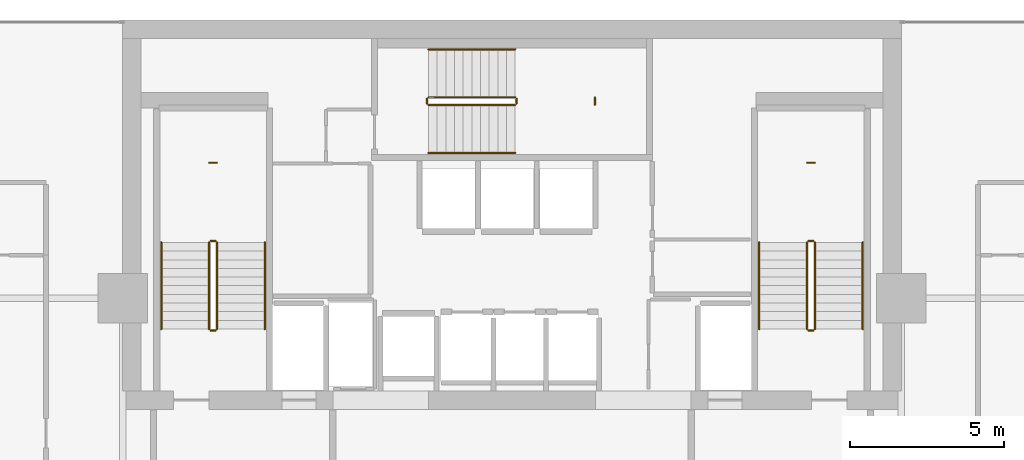
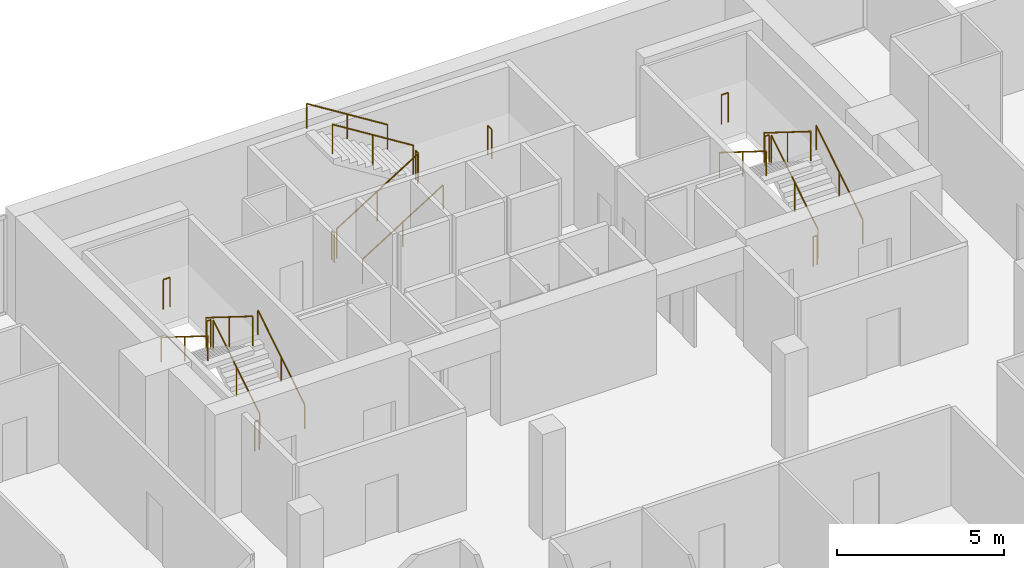
# One storey, part 25 of 25: 21 railings.
"""IFC4 building model written with IfcOpenShell, lengths in metres."""

from ifc_helpers import new_model, si_unit, direction, frame, origin, origin_2d, place, context, subcontext, project, spatial, circle, extrude, material, type_object, element, save


model = new_model("IFC4")

# Units and contexts
model_context = context("Model", 3, precision=1e-05, world=origin(), true_north=direction((0.0, 1.0)))
body_context = subcontext(model_context, "Body", "Model", "MODEL_VIEW")
ifc_project = project(units=[si_unit("LENGTHUNIT", "METRE"), si_unit("AREAUNIT", "SQUARE_METRE"), si_unit("VOLUMEUNIT", "CUBIC_METRE"), si_unit("PLANEANGLEUNIT", "RADIAN"), si_unit("MASSUNIT", "GRAM", prefix="KILO")], contexts=[model_context])

# Site, building, storey
site_placement = place(None, origin())
site = spatial("IfcSite", under=ifc_project, at=site_placement, CompositionType="ELEMENT")
building_placement = place(site_placement, origin())
building = spatial("IfcBuilding", under=site, at=building_placement, Name="Maruvema Waterfront Hotel and Observation Tower", CompositionType="ELEMENT")
storey_placement = place(building_placement, frame((0.0, 0.0, 274.050048828125)))
storey = spatial("IfcBuildingStorey", under=building, at=storey_placement, Name="L67", CompositionType="ELEMENT", Elevation=274.050048828125)

# Railings
ifc_material_1 = material(Name="Brushed stainless steel Grade 316", Category="steel")
railing_type_1 = type_object("IfcRailingType", Name="Ramp Continuous Wall Handrail 920 mm", PredefinedType="HANDRAIL", material=ifc_material_1)
railing_1_placement = place(storey_placement, frame((29.800048828125, 44.0, 0.175048828125)))
element("IfcRailing", 1, at=railing_1_placement, inside=storey, type_object=railing_type_1, Name="L67 ST-01 stair handrail 1", PredefinedType="HANDRAIL", context=body_context, shape_type="SweptSolid", body=[
    extrude(circle(Radius=0.02392578125, at=origin_2d()), frame((0.0, 0.0, 0.89599609375), z_axis=(0.0, 0.848002457836, 0.529992293815), x_axis=(-1.0, 0.0, 0.0)), (0.0, 0.0, 1.0), 3.302001953125),
    extrude(circle(Radius=0.02099609375, at=origin_2d()), origin(), (0.0, 0.0, 1.0), 0.871826171875),
    extrude(circle(Radius=0.02099609375, at=origin_2d()), frame((0.0, 1.39990234375, 0.875)), (0.0, 0.0, 1.0), 0.871826171875),
    extrude(circle(Radius=0.02099609375, at=origin_2d()), frame((0.0, 2.800048828125, 1.75)), (0.0, 0.0, 1.0), 0.871826171875),
])
railing_2_placement = place(storey_placement, frame((26.449951171875, 46.800048828125, 2.099853515625)))
element("IfcRailing", 2, at=railing_2_placement, inside=storey, type_object=railing_type_1, Name="L67 ST-01 stair handrail 2", PredefinedType="HANDRAIL", context=body_context, shape_type="SweptSolid", body=[
    extrude(circle(Radius=0.02392578125, at=origin_2d()), frame((0.0, 0.0, 0.89599609375), z_axis=(0.0, -0.848002457836, 0.529992293815), x_axis=(1.0, 0.0, 0.0)), (0.0, 0.0, 1.0), 3.302001953125),
    extrude(circle(Radius=0.02099609375, at=origin_2d()), origin(), (0.0, 0.0, 1.0), 0.871826171875),
    extrude(circle(Radius=0.02099609375, at=origin_2d()), frame((0.0, -1.39990234375, 0.875)), (0.0, 0.0, 1.0), 0.871826171875),
    extrude(circle(Radius=0.02099609375, at=origin_2d()), frame((0.0, -2.800048828125, 1.75)), (0.0, 0.0, 1.0), 0.871826171875),
])
railing_3_placement = place(storey_placement, frame((35.10009765625, 49.699951171875, 0.175048828125)))
element("IfcRailing", 3, at=railing_3_placement, inside=storey, type_object=railing_type_1, Name="L67 ST-02 stair handrail 1", PredefinedType="HANDRAIL", context=body_context, shape_type="SweptSolid", body=[
    extrude(circle(Radius=0.02392578125, at=origin_2d()), frame((0.0, 0.0, 0.89599609375), z_axis=(0.847981687118, 0.0, 0.530025526095), x_axis=(0.0, 1.0, 0.0)), (0.0, 0.0, 1.0), 3.3017578125),
    extrude(circle(Radius=0.02099609375, at=origin_2d()), origin(), (0.0, 0.0, 1.0), 0.871826171875),
    extrude(circle(Radius=0.02099609375, at=origin_2d()), frame((1.39990234375, 0.0, 0.875)), (0.0, 0.0, 1.0), 0.871826171875),
    extrude(circle(Radius=0.02099609375, at=origin_2d()), frame((2.7998046875, 0.0, 1.75)), (0.0, 0.0, 1.0), 0.871826171875),
])
railing_4_placement = place(storey_placement, frame((37.89990234375, 53.050048828125, 2.099853515625)))
element("IfcRailing", 4, at=railing_4_placement, inside=storey, type_object=railing_type_1, Name="L67 ST-02 stair handrail 2", PredefinedType="HANDRAIL", context=body_context, shape_type="SweptSolid", body=[
    extrude(circle(Radius=0.02392578125, at=origin_2d()), frame((0.0, 0.0, 0.89599609375), z_axis=(-0.847981687118, 0.0, 0.530025526095), x_axis=(0.0, -1.0, 0.0)), (0.0, 0.0, 1.0), 3.3017578125),
    extrude(circle(Radius=0.02099609375, at=origin_2d()), origin(), (0.0, 0.0, 1.0), 0.871826171875),
    extrude(circle(Radius=0.02099609375, at=origin_2d()), frame((-1.39990234375, 0.0, 0.875)), (0.0, 0.0, 1.0), 0.871826171875),
    extrude(circle(Radius=0.02099609375, at=origin_2d()), frame((-2.7998046875, 0.0, 1.75)), (0.0, 0.0, 1.0), 0.871826171875),
])
railing_5_placement = place(storey_placement, frame((49.14990234375, 44.0, 0.175048828125)))
element("IfcRailing", 5, at=railing_5_placement, inside=storey, type_object=railing_type_1, Name="L67 ST-03 stair handrail 1", PredefinedType="HANDRAIL", context=body_context, shape_type="SweptSolid", body=[
    extrude(circle(Radius=0.02392578125, at=origin_2d()), frame((0.0, 0.0, 0.89599609375), z_axis=(0.0, 0.848002457836, 0.529992293815), x_axis=(-1.0, 0.0, 0.0)), (0.0, 0.0, 1.0), 3.302001953125),
    extrude(circle(Radius=0.02099609375, at=origin_2d()), origin(), (0.0, 0.0, 1.0), 0.871826171875),
    extrude(circle(Radius=0.02099609375, at=origin_2d()), frame((0.0, 1.39990234375, 0.875)), (0.0, 0.0, 1.0), 0.871826171875),
    extrude(circle(Radius=0.02099609375, at=origin_2d()), frame((0.0, 2.800048828125, 1.75)), (0.0, 0.0, 1.0), 0.871826171875),
])
railing_6_placement = place(storey_placement, frame((45.800048828125, 46.800048828125, 2.099853515625)))
element("IfcRailing", 6, at=railing_6_placement, inside=storey, type_object=railing_type_1, Name="L67 ST-03 stair handrail 2", PredefinedType="HANDRAIL", context=body_context, shape_type="SweptSolid", body=[
    extrude(circle(Radius=0.02392578125, at=origin_2d()), frame((0.0, 0.0, 0.89599609375), z_axis=(0.0, -0.848002457836, 0.529992293815), x_axis=(1.0, 0.0, 0.0)), (0.0, 0.0, 1.0), 3.302001953125),
    extrude(circle(Radius=0.02099609375, at=origin_2d()), origin(), (0.0, 0.0, 1.0), 0.871826171875),
    extrude(circle(Radius=0.02099609375, at=origin_2d()), frame((0.0, -1.39990234375, 0.875)), (0.0, 0.0, 1.0), 0.871826171875),
    extrude(circle(Radius=0.02099609375, at=origin_2d()), frame((0.0, -2.800048828125, 1.75)), (0.0, 0.0, 1.0), 0.871826171875),
])
ifc_material_2 = material(Name="Brushed stainless steel Grade 316", Category="steel")
railing_type_2 = type_object("IfcRailingType", Name="Ramp and Terrace Guard Balustrade 1100 mm", PredefinedType="BALUSTRADE", material=ifc_material_2)
railing_7_placement = place(storey_placement, frame((28.25, 44.0, 0.175048828125)))
element("IfcRailing", 7, at=railing_7_placement, inside=storey, type_object=railing_type_2, Name="L67 ST-01 stair guard 1", PredefinedType="BALUSTRADE", context=body_context, shape_type="SweptSolid", body=[
    extrude(circle(Radius=0.02392578125, at=origin_2d()), frame((0.0, 0.0, 1.076171875), z_axis=(0.0, 0.848002457836, 0.529992293815), x_axis=(-1.0, 0.0, 0.0)), (0.0, 0.0, 1.0), 3.302001953125),
    extrude(circle(Radius=0.02099609375, at=origin_2d()), origin(), (0.0, 0.0, 1.0), 1.052001953125),
    extrude(circle(Radius=0.02099609375, at=origin_2d()), frame((0.0, 1.39990234375, 0.875)), (0.0, 0.0, 1.0), 1.052001953125),
    extrude(circle(Radius=0.02099609375, at=origin_2d()), frame((0.0, 2.800048828125, 1.75)), (0.0, 0.0, 1.0), 1.052001953125),
])
railing_8_placement = place(storey_placement, frame((28.199951171875, 46.85009765625, 1.925048828125)))
element("IfcRailing", 8, at=railing_8_placement, inside=storey, type_object=railing_type_2, Name="L67 ST-01 stair guard 2", PredefinedType="BALUSTRADE", context=body_context, shape_type="SweptSolid", body=[
    extrude(circle(Radius=0.02392578125, at=origin_2d()), frame((0.0, 0.0, 1.076171875), z_axis=(-1.0, 0.0, 0.0), x_axis=(0.0, -1.0, 0.0)), (0.0, 0.0, 1.0), 0.14990234375),
    extrude(circle(Radius=0.02099609375, at=origin_2d()), origin(), (0.0, 0.0, 1.0), 1.052001953125),
    extrude(circle(Radius=0.02099609375, at=origin_2d()), frame((-0.14990234375, 0.0, 0.0)), (0.0, 0.0, 1.0), 1.052001953125),
])
railing_9_placement = place(storey_placement, frame((28.0, 46.800048828125, 2.099853515625)))
element("IfcRailing", 9, at=railing_9_placement, inside=storey, type_object=railing_type_2, Name="L67 ST-01 stair guard 3", PredefinedType="BALUSTRADE", context=body_context, shape_type="SweptSolid", body=[
    extrude(circle(Radius=0.02392578125, at=origin_2d()), frame((0.0, 0.0, 1.076171875), z_axis=(0.0, -0.848002457836, 0.529992293815), x_axis=(1.0, 0.0, 0.0)), (0.0, 0.0, 1.0), 3.302001953125),
    extrude(circle(Radius=0.02099609375, at=origin_2d()), origin(), (0.0, 0.0, 1.0), 1.052001953125),
    extrude(circle(Radius=0.02099609375, at=origin_2d()), frame((0.0, -1.39990234375, 0.875)), (0.0, 0.0, 1.0), 1.052001953125),
    extrude(circle(Radius=0.02099609375, at=origin_2d()), frame((0.0, -2.800048828125, 1.75)), (0.0, 0.0, 1.0), 1.052001953125),
])
railing_10_placement = place(storey_placement, frame((28.199951171875, 43.949951171875, 0.0)))
element("IfcRailing", 10, at=railing_10_placement, inside=storey, type_object=railing_type_2, Name="L67 ST-01 stair guard 4", PredefinedType="BALUSTRADE", context=body_context, shape_type="SweptSolid", body=[
    extrude(circle(Radius=0.02392578125, at=origin_2d()), frame((0.0, 0.0, 1.076171875), z_axis=(-1.0, 0.0, 0.0), x_axis=(0.0, -1.0, 0.0)), (0.0, 0.0, 1.0), 0.14990234375),
    extrude(circle(Radius=0.02099609375, at=origin_2d()), origin(), (0.0, 0.0, 1.0), 1.052001953125),
    extrude(circle(Radius=0.02099609375, at=origin_2d()), frame((-0.14990234375, 0.0, 0.0)), (0.0, 0.0, 1.0), 1.052001953125),
])
railing_11_placement = place(storey_placement, frame((28.239990234375, 49.3798828125, 1.925048828125)))
element("IfcRailing", 11, at=railing_11_placement, inside=storey, type_object=railing_type_2, Name="L67 ST-01 Half-Landing Slot Guard", PredefinedType="BALUSTRADE", context=body_context, shape_type="SweptSolid", body=[
    extrude(circle(Radius=0.02392578125, at=origin_2d()), frame((0.0, 0.0, 1.076171875), z_axis=(-1.0, 0.0, 0.0), x_axis=(0.0, -1.0, 0.0)), (0.0, 0.0, 1.0), 0.22998046875),
    extrude(circle(Radius=0.02099609375, at=origin_2d()), origin(), (0.0, 0.0, 1.0), 1.052001953125),
    extrude(circle(Radius=0.02099609375, at=origin_2d()), frame((-0.22998046875, 0.0, 0.0)), (0.0, 0.0, 1.0), 1.052001953125),
])
railing_12_placement = place(storey_placement, frame((35.10009765625, 51.25, 0.175048828125)))
element("IfcRailing", 12, at=railing_12_placement, inside=storey, type_object=railing_type_2, Name="L67 ST-02 stair guard 1", PredefinedType="BALUSTRADE", context=body_context, shape_type="SweptSolid", body=[
    extrude(circle(Radius=0.02392578125, at=origin_2d()), frame((0.0, 0.0, 1.076171875), z_axis=(0.847981687118, 0.0, 0.530025526095), x_axis=(0.0, 1.0, 0.0)), (0.0, 0.0, 1.0), 3.3017578125),
    extrude(circle(Radius=0.02099609375, at=origin_2d()), origin(), (0.0, 0.0, 1.0), 1.052001953125),
    extrude(circle(Radius=0.02099609375, at=origin_2d()), frame((1.39990234375, 0.0, 0.875)), (0.0, 0.0, 1.0), 1.052001953125),
    extrude(circle(Radius=0.02099609375, at=origin_2d()), frame((2.7998046875, 0.0, 1.75)), (0.0, 0.0, 1.0), 1.052001953125),
])
railing_13_placement = place(storey_placement, frame((37.949951171875, 51.300048828125, 1.925048828125)))
element("IfcRailing", 13, at=railing_13_placement, inside=storey, type_object=railing_type_2, Name="L67 ST-02 stair guard 2", PredefinedType="BALUSTRADE", context=body_context, shape_type="SweptSolid", body=[
    extrude(circle(Radius=0.02392578125, at=origin_2d()), frame((0.0, 0.0, 1.076171875), z_axis=(0.0, 1.0, 0.0), x_axis=(-1.0, 0.0, 0.0)), (0.0, 0.0, 1.0), 0.14990234375),
    extrude(circle(Radius=0.02099609375, at=origin_2d()), origin(), (0.0, 0.0, 1.0), 1.052001953125),
    extrude(circle(Radius=0.02099609375, at=origin_2d()), frame((0.0, 0.14990234375, 0.0)), (0.0, 0.0, 1.0), 1.052001953125),
])
railing_14_placement = place(storey_placement, frame((37.89990234375, 51.5, 2.099853515625)))
element("IfcRailing", 14, at=railing_14_placement, inside=storey, type_object=railing_type_2, Name="L67 ST-02 stair guard 3", PredefinedType="BALUSTRADE", context=body_context, shape_type="SweptSolid", body=[
    extrude(circle(Radius=0.02392578125, at=origin_2d()), frame((0.0, 0.0, 1.076171875), z_axis=(-0.847981687118, 0.0, 0.530025526095), x_axis=(0.0, -1.0, 0.0)), (0.0, 0.0, 1.0), 3.3017578125),
    extrude(circle(Radius=0.02099609375, at=origin_2d()), origin(), (0.0, 0.0, 1.0), 1.052001953125),
    extrude(circle(Radius=0.02099609375, at=origin_2d()), frame((-1.39990234375, 0.0, 0.875)), (0.0, 0.0, 1.0), 1.052001953125),
    extrude(circle(Radius=0.02099609375, at=origin_2d()), frame((-2.7998046875, 0.0, 1.75)), (0.0, 0.0, 1.0), 1.052001953125),
])
railing_15_placement = place(storey_placement, frame((35.050048828125, 51.300048828125, 0.0)))
element("IfcRailing", 15, at=railing_15_placement, inside=storey, type_object=railing_type_2, Name="L67 ST-02 stair guard 4", PredefinedType="BALUSTRADE", context=body_context, shape_type="SweptSolid", body=[
    extrude(circle(Radius=0.02392578125, at=origin_2d()), frame((0.0, 0.0, 1.076171875), z_axis=(0.0, 1.0, 0.0), x_axis=(-1.0, 0.0, 0.0)), (0.0, 0.0, 1.0), 0.14990234375),
    extrude(circle(Radius=0.02099609375, at=origin_2d()), origin(), (0.0, 0.0, 1.0), 1.052001953125),
    extrude(circle(Radius=0.02099609375, at=origin_2d()), frame((0.0, 0.14990234375, 0.0)), (0.0, 0.0, 1.0), 1.052001953125),
])
railing_16_placement = place(storey_placement, frame((40.47998046875, 51.260009765625, 1.925048828125)))
element("IfcRailing", 16, at=railing_16_placement, inside=storey, type_object=railing_type_2, Name="L67 ST-02 Half-Landing Slot Guard", PredefinedType="BALUSTRADE", context=body_context, shape_type="SweptSolid", body=[
    extrude(circle(Radius=0.02392578125, at=origin_2d()), frame((0.0, 0.0, 1.076171875), z_axis=(0.0, 1.0, 0.0), x_axis=(-1.0, 0.0, 0.0)), (0.0, 0.0, 1.0), 0.22998046875),
    extrude(circle(Radius=0.02099609375, at=origin_2d()), origin(), (0.0, 0.0, 1.0), 1.052001953125),
    extrude(circle(Radius=0.02099609375, at=origin_2d()), frame((0.0, 0.22998046875, 0.0)), (0.0, 0.0, 1.0), 1.052001953125),
])
railing_17_placement = place(storey_placement, frame((47.60009765625, 44.0, 0.175048828125)))
element("IfcRailing", 17, at=railing_17_placement, inside=storey, type_object=railing_type_2, Name="L67 ST-03 stair guard 1", PredefinedType="BALUSTRADE", context=body_context, shape_type="SweptSolid", body=[
    extrude(circle(Radius=0.02392578125, at=origin_2d()), frame((0.0, 0.0, 1.076171875), z_axis=(0.0, 0.848002457836, 0.529992293815), x_axis=(-1.0, 0.0, 0.0)), (0.0, 0.0, 1.0), 3.302001953125),
    extrude(circle(Radius=0.02099609375, at=origin_2d()), origin(), (0.0, 0.0, 1.0), 1.052001953125),
    extrude(circle(Radius=0.02099609375, at=origin_2d()), frame((0.0, 1.39990234375, 0.875)), (0.0, 0.0, 1.0), 1.052001953125),
    extrude(circle(Radius=0.02099609375, at=origin_2d()), frame((0.0, 2.800048828125, 1.75)), (0.0, 0.0, 1.0), 1.052001953125),
])
railing_18_placement = place(storey_placement, frame((47.550048828125, 46.85009765625, 1.925048828125)))
element("IfcRailing", 18, at=railing_18_placement, inside=storey, type_object=railing_type_2, Name="L67 ST-03 stair guard 2", PredefinedType="BALUSTRADE", context=body_context, shape_type="SweptSolid", body=[
    extrude(circle(Radius=0.02392578125, at=origin_2d()), frame((0.0, 0.0, 1.076171875), z_axis=(-1.0, 0.0, 0.0), x_axis=(0.0, -1.0, 0.0)), (0.0, 0.0, 1.0), 0.150146484375),
    extrude(circle(Radius=0.02099609375, at=origin_2d()), origin(), (0.0, 0.0, 1.0), 1.052001953125),
    extrude(circle(Radius=0.02099609375, at=origin_2d()), frame((-0.150146484375, 0.0, 0.0)), (0.0, 0.0, 1.0), 1.052001953125),
])
railing_19_placement = place(storey_placement, frame((47.35009765625, 46.800048828125, 2.099853515625)))
element("IfcRailing", 19, at=railing_19_placement, inside=storey, type_object=railing_type_2, Name="L67 ST-03 stair guard 3", PredefinedType="BALUSTRADE", context=body_context, shape_type="SweptSolid", body=[
    extrude(circle(Radius=0.02392578125, at=origin_2d()), frame((0.0, 0.0, 1.076171875), z_axis=(0.0, -0.848002457836, 0.529992293815), x_axis=(1.0, 0.0, 0.0)), (0.0, 0.0, 1.0), 3.302001953125),
    extrude(circle(Radius=0.02099609375, at=origin_2d()), origin(), (0.0, 0.0, 1.0), 1.052001953125),
    extrude(circle(Radius=0.02099609375, at=origin_2d()), frame((0.0, -1.39990234375, 0.875)), (0.0, 0.0, 1.0), 1.052001953125),
    extrude(circle(Radius=0.02099609375, at=origin_2d()), frame((0.0, -2.800048828125, 1.75)), (0.0, 0.0, 1.0), 1.052001953125),
])
railing_20_placement = place(storey_placement, frame((47.550048828125, 43.949951171875, 0.0)))
element("IfcRailing", 20, at=railing_20_placement, inside=storey, type_object=railing_type_2, Name="L67 ST-03 stair guard 4", PredefinedType="BALUSTRADE", context=body_context, shape_type="SweptSolid", body=[
    extrude(circle(Radius=0.02392578125, at=origin_2d()), frame((0.0, 0.0, 1.076171875), z_axis=(-1.0, 0.0, 0.0), x_axis=(0.0, -1.0, 0.0)), (0.0, 0.0, 1.0), 0.150146484375),
    extrude(circle(Radius=0.02099609375, at=origin_2d()), origin(), (0.0, 0.0, 1.0), 1.052001953125),
    extrude(circle(Radius=0.02099609375, at=origin_2d()), frame((-0.150146484375, 0.0, 0.0)), (0.0, 0.0, 1.0), 1.052001953125),
])
railing_21_placement = place(storey_placement, frame((47.590087890625, 49.3798828125, 1.925048828125)))
element("IfcRailing", 21, at=railing_21_placement, inside=storey, type_object=railing_type_2, Name="L67 ST-03 Half-Landing Slot Guard", PredefinedType="BALUSTRADE", context=body_context, shape_type="SweptSolid", body=[
    extrude(circle(Radius=0.02392578125, at=origin_2d()), frame((0.0, 0.0, 1.076171875), z_axis=(-1.0, 0.0, 0.0), x_axis=(0.0, -1.0, 0.0)), (0.0, 0.0, 1.0), 0.22998046875),
    extrude(circle(Radius=0.02099609375, at=origin_2d()), origin(), (0.0, 0.0, 1.0), 1.052001953125),
    extrude(circle(Radius=0.02099609375, at=origin_2d()), frame((-0.22998046875, 0.0, 0.0)), (0.0, 0.0, 1.0), 1.052001953125),
])

save(model, "model.ifc")
